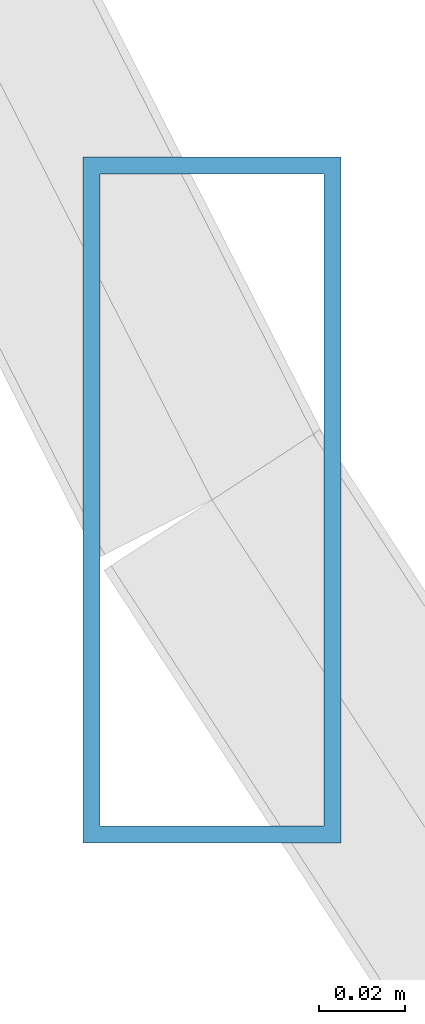
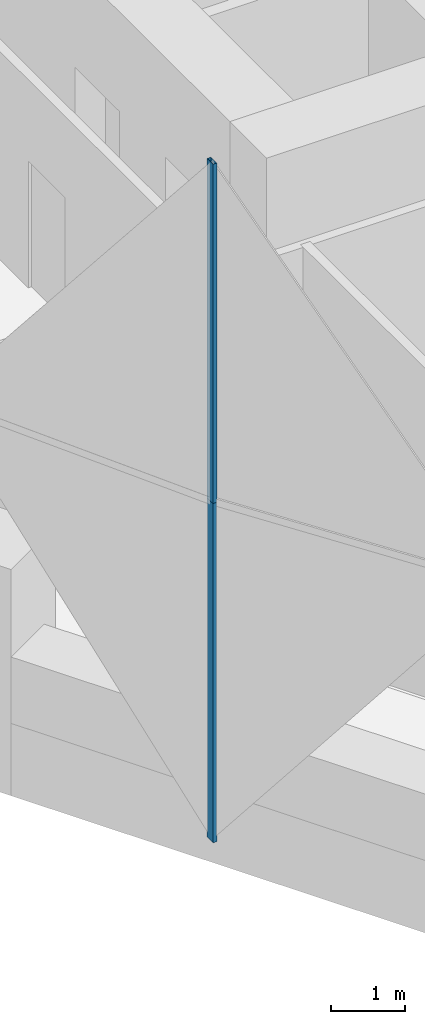
# One storey, part 2 of 17: 2 members, 1 element without a shape of its own.
"""IFC4 building model written with IfcOpenShell, lengths in metres."""

import ifcopenshell
import ifcopenshell.guid

model = None  # the IFC model being written
_history = None  # IfcOwnerHistory: only IFC2X3 demands one
_inside = {}  # id of a spatial element -> (the spatial element, [elements in it])
_under = {}  # id of a project, library or spatial element -> (it, [spatial elements below it])
_declared = {}  # id of a project -> (the project, [libraries it declares])
_typed = {}  # id of a type object -> (the type object, [elements of that type])
_made_of = {}  # id of a material, layer set ... -> (it, [elements and type objects made of it])


def new_model(schema):
    """Start an empty IFC model of exactly this schema.

    Asked for "IFC4X3", IfcOpenShell would pick the latest addendum, in which some entities
    have other attributes; the version numbers below select the first issue.
    IFC2X3 requires an IfcOwnerHistory on every rooted entity: one is made here for all.
    """
    global model, _history
    if schema == "IFC4X3":
        model = ifcopenshell.file(schema_version=(4, 3, 0, 0))
    else:
        model = ifcopenshell.file(schema=schema)
    _inside.clear()
    _under.clear()
    _declared.clear()
    _typed.clear()
    _made_of.clear()
    _history = None
    if model.schema == "IFC2X3":
        org = make("IfcOrganization", Name="unknown")
        user = make(
            "IfcPersonAndOrganization",
            ThePerson=make("IfcPerson", FamilyName="unknown"),
            TheOrganization=org,
        )
        app = make(
            "IfcApplication",
            ApplicationDeveloper=org,
            Version="unknown",
            ApplicationFullName="unknown",
            ApplicationIdentifier="unknown",
        )
        _history = make(
            "IfcOwnerHistory",
            OwningUser=user,
            OwningApplication=app,
            ChangeAction="ADDED",
            CreationDate=0,
        )
    return model


def make(cls, **values):
    """One entity of the class cls with the attributes given. An attribute that is None is left unset."""
    return model.create_entity(
        cls, **{name: value for name, value in values.items() if value is not None}
    )


def rooted(cls, **values):
    """An entity with a GlobalId (a new one), such as an element, a storey or a relation."""
    return make(cls, GlobalId=ifcopenshell.guid.new(), OwnerHistory=_history, **values)


def si_unit(unit_type, name, prefix=None):
    """IfcSIUnit, for example si_unit("LENGTHUNIT", "METRE", prefix="MILLI")."""
    return make("IfcSIUnit", UnitType=unit_type, Prefix=prefix, Name=name)


def assignment(units):
    """IfcUnitAssignment: the units of a project."""
    return None if units is None else make("IfcUnitAssignment", Units=units)


def point(xyz):
    """IfcCartesianPoint."""
    return None if xyz is None else make("IfcCartesianPoint", Coordinates=xyz)


def direction(xyz):
    """IfcDirection."""
    return None if xyz is None else make("IfcDirection", DirectionRatios=xyz)


def frame(location, z_axis=None, x_axis=None):
    """IfcAxis2Placement3D, a coordinate frame: its origin and axes. An axis left out is left unset."""
    return make(
        "IfcAxis2Placement3D",
        Location=point(location),
        Axis=direction(z_axis),
        RefDirection=direction(x_axis),
    )


def frame_2d(location, x_axis=None):
    """IfcAxis2Placement2D, a coordinate frame in the plane: its origin and x axis."""
    return make(
        "IfcAxis2Placement2D", Location=point(location), RefDirection=direction(x_axis)
    )


def origin():
    """The frame at (0, 0, 0) with its axes left unset."""
    return frame((0.0, 0.0, 0.0))


def origin_2d():
    """The frame at (0, 0) in the plane with its x axis left unset."""
    return frame_2d((0.0, 0.0))


def place(relative_to, where):
    """IfcLocalPlacement: puts the frame where relative to a parent placement (None: the world)."""
    return make(
        "IfcLocalPlacement", PlacementRelTo=relative_to, RelativePlacement=where
    )


def context(
    kind, dimensions, precision=None, world=None, true_north=None, identifier=None
):
    """IfcGeometricRepresentationContext, for example the 3D "Model" context."""
    return make(
        "IfcGeometricRepresentationContext",
        ContextIdentifier=identifier,
        ContextType=kind,
        CoordinateSpaceDimension=dimensions,
        Precision=precision,
        WorldCoordinateSystem=world,
        TrueNorth=true_north,
    )


def subcontext(parent, identifier, kind, view, scale=None):
    """IfcGeometricRepresentationSubContext, for example "Body" below "Model"."""
    return make(
        "IfcGeometricRepresentationSubContext",
        ContextIdentifier=identifier,
        ContextType=kind,
        ParentContext=parent,
        TargetScale=scale,
        TargetView=view,
    )


def project(units=None, contexts=None):
    """IfcProject with its units and contexts."""
    return rooted(
        "IfcProject",
        Name="project",
        RepresentationContexts=contexts,
        UnitsInContext=assignment(units),
    )


def spatial(cls, under=None, at=None, **own):
    """A site, building, storey or space (cls), placed at a placement, below another one or the project."""
    s = rooted(cls, ObjectPlacement=at, **own)
    if under is not None:
        _under.setdefault(under.id(), (under, []))[1].append(s)
    return s


def profile(cls, at=None, kind="AREA", **sizes):
    """A parametric profile (cls). Its sizes go by their IFC names, for example OverallWidth=200.0."""
    return make(cls, ProfileType=kind, Position=at, **sizes)


def hollow_rectangle(**sizes):
    """IfcRectangleHollowProfileDef."""
    return profile("IfcRectangleHollowProfileDef", **sizes)


def extrude(swept, where, along, depth):
    """IfcExtrudedAreaSolid: the profile swept, set in the frame where, extruded along a direction by depth."""
    return make(
        "IfcExtrudedAreaSolid",
        SweptArea=swept,
        Position=where,
        ExtrudedDirection=direction(along),
        Depth=depth,
    )


def shape(context_of_items, identifier, shape_type, items):
    """IfcShapeRepresentation: the items that make up one representation, for example the "Body"."""
    return make(
        "IfcShapeRepresentation",
        ContextOfItems=context_of_items,
        RepresentationIdentifier=identifier,
        RepresentationType=shape_type,
        Items=items,
    )


def material(Name=None, Category=None):
    """IfcMaterial."""
    return make("IfcMaterial", Name=Name, Category=Category)


def material_profile(
    of_material, cross_section, Name=None, Category=None, Priority=None
):
    """IfcMaterialProfile: a cross section and its material."""
    return make(
        "IfcMaterialProfile",
        Name=Name,
        Material=of_material,
        Profile=cross_section,
        Priority=Priority,
        Category=Category,
    )


def profile_set(profiles, Name=None, composite=None):
    """IfcMaterialProfileSet."""
    return make(
        "IfcMaterialProfileSet",
        Name=Name,
        MaterialProfiles=profiles,
        CompositeProfile=composite,
    )


def made_of(thing, what):
    """Note that an element or type object is made of a material, layer set ...; save() writes the relation."""
    if what is not None:
        _made_of.setdefault(what.id(), (what, []))[1].append(thing)
    return thing


def type_object(cls, material=None, **own):
    """A type object (cls), such as IfcWallType, which elements share."""
    return made_of(rooted(cls, **own), material)


def element(
    cls,
    number,
    at=None,
    inside=None,
    cuts=None,
    type_object=None,
    material=None,
    context=None,
    identifier="Body",
    shape_type=None,
    held_by="IfcProductDefinitionShape",
    body=None,
    shapes=None,
    **own,
):
    """One element of the class cls, such as IfcWall. Its Tag is "e" and its number.

    at: its placement. inside: the storey or other place that contains it. cuts: it is an
    opening in that element (IfcRelVoidsElement). A single representation is given by context,
    identifier, shape_type and body (its items); several are given by shapes. held_by: the class
    of the entity that holds the representations. save() writes the other relations.
    """
    e = rooted(cls, Tag="e%d" % number, ObjectPlacement=at, **own)
    if body is not None:
        shapes = [shape(context, identifier, shape_type, body)]
    if shapes is not None:
        e.Representation = make(held_by, Representations=shapes)
    if inside is not None:
        _inside.setdefault(inside.id(), (inside, []))[1].append(e)
    if cuts is not None:
        rooted(
            "IfcRelVoidsElement", RelatingBuildingElement=cuts, RelatedOpeningElement=e
        )
    if type_object is not None:
        _typed.setdefault(type_object.id(), (type_object, []))[1].append(e)
    return made_of(e, material)


def aggregate(whole, parts):
    """IfcRelAggregates: a whole, such as a stair, and the parts it consists of."""
    return rooted("IfcRelAggregates", RelatingObject=whole, RelatedObjects=parts)


def save(model, path):
    """Write the relations noted so far, then the file.

    IfcRelAggregates (storeys below a building ...), IfcRelContainedInSpatialStructure (elements
    in a storey), IfcRelDefinesByType, IfcRelAssociatesMaterial and IfcRelDeclares: one each for
    every whole, place, type object, material and project.
    """
    for whole, parts in _under.values():
        aggregate(whole, parts)
    for where, things in _inside.values():
        rooted(
            "IfcRelContainedInSpatialStructure",
            RelatedElements=things,
            RelatingStructure=where,
        )
    for kind, things in _typed.values():
        rooted("IfcRelDefinesByType", RelatedObjects=things, RelatingType=kind)
    for what, things in _made_of.values():
        rooted("IfcRelAssociatesMaterial", RelatedObjects=things, RelatingMaterial=what)
    for by, libraries in _declared.values():
        rooted("IfcRelDeclares", RelatingContext=by, RelatedDefinitions=libraries)
    model.write(path)


model = new_model("IFC4")

# Units and contexts
model_context = context("Model", 3, precision=1e-05, world=origin(), true_north=direction((0.0, 1.0)))
body_context = subcontext(model_context, "Body", "Model", "MODEL_VIEW")
ifc_project = project(units=[si_unit("LENGTHUNIT", "METRE"), si_unit("AREAUNIT", "SQUARE_METRE"), si_unit("VOLUMEUNIT", "CUBIC_METRE"), si_unit("PLANEANGLEUNIT", "RADIAN"), si_unit("MASSUNIT", "GRAM", prefix="KILO")], contexts=[model_context])

# Site, building, storey
site_placement = place(None, origin())
site = spatial("IfcSite", under=ifc_project, at=site_placement, CompositionType="ELEMENT")
building_placement = place(site_placement, origin())
building = spatial("IfcBuilding", under=site, at=building_placement, Name="Ostrander Bayou Hotel Tower", CompositionType="ELEMENT")
storey_placement = place(building_placement, frame((0.0, 0.0, 127.25)))
storey = spatial("IfcBuildingStorey", under=building, at=storey_placement, Name="L31", CompositionType="ELEMENT", Elevation=127.25)

# Curtain wall, members
ifc_material_1 = material(Name="Aluminium and clear glass", Category="aluminium")
curtain_wall_type = type_object("IfcCurtainWallType", Name="CW-LAT lattice glazing", PredefinedType="NOTDEFINED", material=ifc_material_1)
curtain_wall_placement = place(storey_placement, origin())
curtain_wall = element("IfcCurtainWall", 1, at=curtain_wall_placement, inside=storey, type_object=curtain_wall_type, Name="CW-LAT L31 SW 1", PredefinedType="NOTDEFINED")
ifc_material_2 = material(Name="Aluminium", Category="aluminium")
ifc_material_profile = material_profile(ifc_material_2, hollow_rectangle(XDim=0.06005859375, YDim=0.159912109375, WallThickness=0.00390625, at=origin_2d()))
ifc_profile_set = profile_set([ifc_material_profile], Name="Aluminium")
member_type = type_object("IfcMemberType", Name="CW-LA mullion 60 x 160 mm", PredefinedType="MULLION", material=ifc_profile_set)
member_1_placement = place(storey_placement, frame((-17.814208984375, -10.284912109375, -0.60009765625), z_axis=(0.0, 0.0, 1.0), x_axis=(1.0, 0.0, 0.0)))
member_1 = element("IfcMember", 2, at=member_1_placement, type_object=member_type, Name="CW-LAT mullion 4", PredefinedType="MULLION", context=body_context, shape_type="SweptSolid", body=[
    extrude(hollow_rectangle(XDim=0.06005859375, YDim=0.159912109375, WallThickness=0.00390625, at=origin_2d()), origin(), (0.0, 0.0, 1.0), 5.625),
])
member_2_placement = place(storey_placement, frame((-17.814208984375, -10.284912109375, 5.02490234375), z_axis=(0.0, 0.0, 1.0), x_axis=(1.0, 0.0, 0.0)))
member_2 = element("IfcMember", 3, at=member_2_placement, type_object=member_type, Name="CW-LAT mullion 5", PredefinedType="MULLION", context=body_context, shape_type="SweptSolid", body=[
    extrude(hollow_rectangle(XDim=0.06005859375, YDim=0.159912109375, WallThickness=0.00390625, at=origin_2d()), origin(), (0.0, 0.0, 1.0), 5.625),
])
aggregate(curtain_wall, [member_1, member_2])

save(model, "model.ifc")
